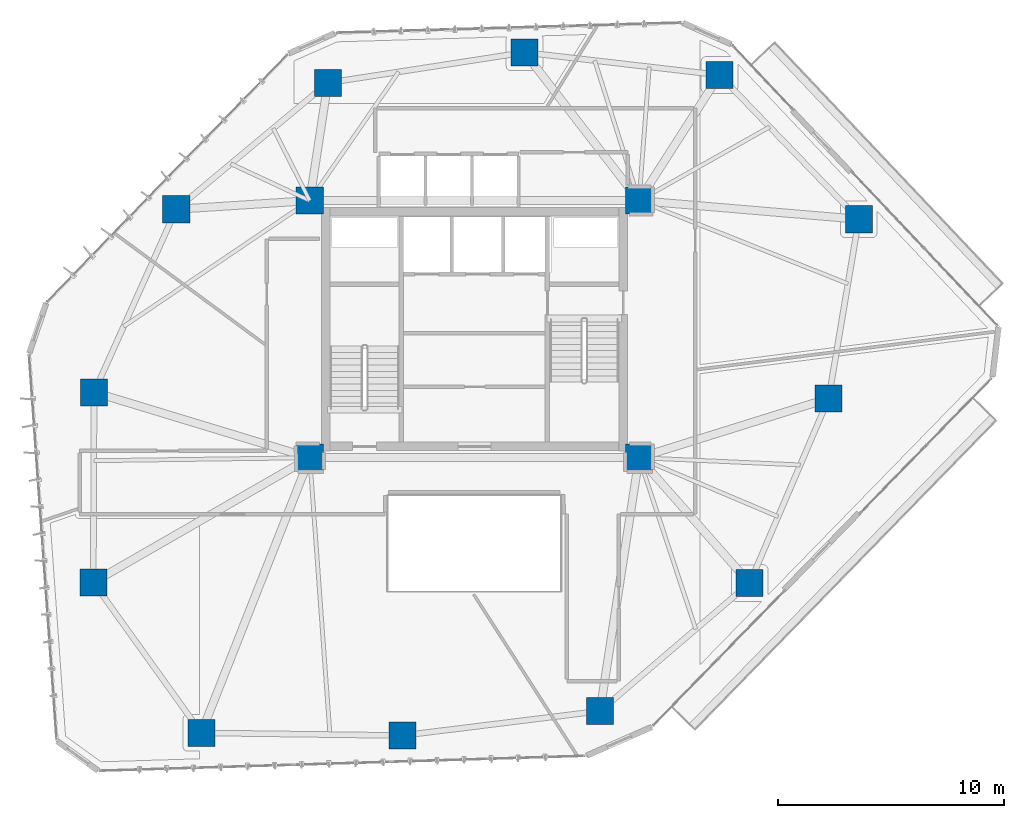
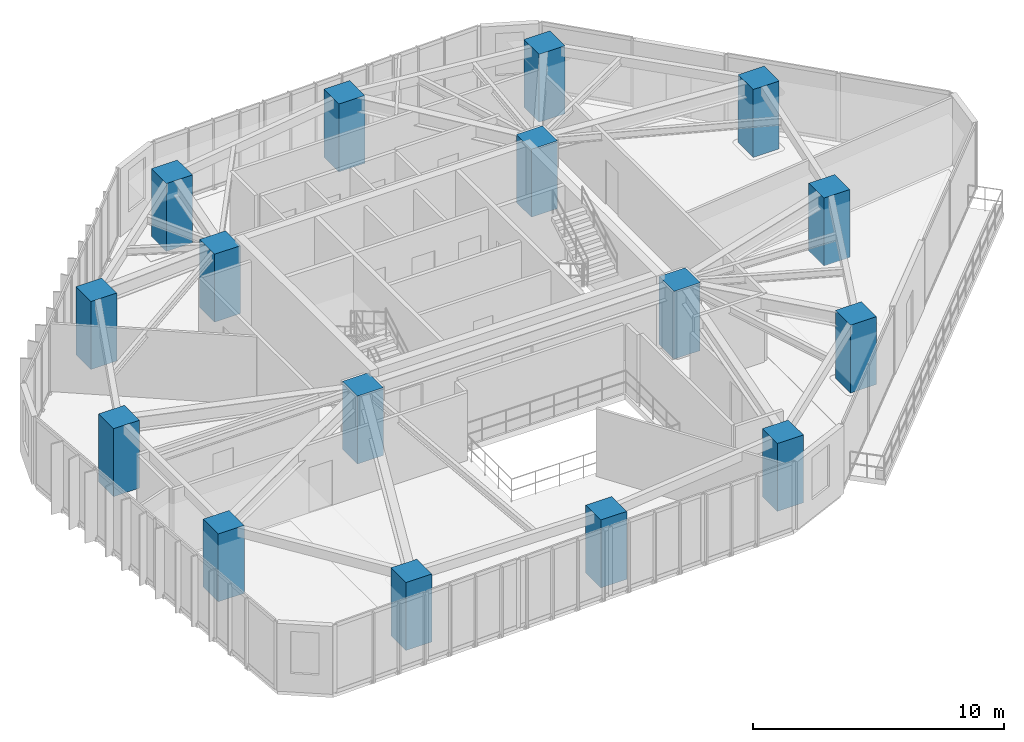
# One storey, part 1 of 23: 16 columns.
"""IFC4 building model written with IfcOpenShell, lengths in metres."""

from ifc_helpers import new_model, si_unit, direction, frame, origin, origin_2d, place, context, subcontext, project, spatial, rectangle, extrude, material, material_profile, profile_set, type_object, element, save


model = new_model("IFC4")

# Units and contexts
model_context = context("Model", 3, precision=1e-05, world=origin(), true_north=direction((0.0, 1.0)))
body_context = subcontext(model_context, "Body", "Model", "MODEL_VIEW")
ifc_project = project(units=[si_unit("LENGTHUNIT", "METRE"), si_unit("AREAUNIT", "SQUARE_METRE"), si_unit("VOLUMEUNIT", "CUBIC_METRE"), si_unit("PLANEANGLEUNIT", "RADIAN"), si_unit("MASSUNIT", "GRAM", prefix="KILO")], contexts=[model_context])

# Site, building, storey
site_placement = place(None, origin())
site = spatial("IfcSite", under=ifc_project, at=site_placement, CompositionType="ELEMENT")
building_placement = place(site_placement, origin())
building = spatial("IfcBuilding", under=site, at=building_placement, Name="Talar Marvaseh", CompositionType="ELEMENT")
storey_placement = place(building_placement, frame((0.0, 0.0, 96.60009765625)))
storey = spatial("IfcBuildingStorey", under=building, at=storey_placement, Name="L24", CompositionType="ELEMENT", Elevation=96.60009765625)

# Columns
ifc_material = material(Name="Concrete C60/75", Category="concrete")
ifc_material_profile = material_profile(ifc_material, rectangle(XDim=1.199951171875, YDim=1.199951171875, at=origin_2d()), Name="RC1200x1200")
ifc_profile_set = profile_set([ifc_material_profile], Name="Concrete C60/75")
column_type = type_object("IfcColumnType", Name="Zone 2 Tube Column RC1200x1200", PredefinedType="COLUMN", material=ifc_profile_set)
for number, where, z_axis, x_axis, name in (
    (1, (36.865966796875, 42.470947265625, 0.0), (0.0, 0.0, 1.0), (1.0, 0.0, 0.0), "L24 Zone 2 Tube Column RC1200x1200"),
    (2, (43.0439453125, 36.075927734375, 0.0), (0.0, 0.0, 1.0), (1.0, 0.0, 0.0), "L24 Zone 2 Tube Column RC1200x1200"),
    (3, (41.708984375, 28.1279296875, 0.0), (0.0, 0.0, 1.0), (1.0, 0.0, 0.0), "L24 Zone 2 Tube Column RC1200x1200"),
    (4, (38.2060546875, 19.94091796875, 0.0), (0.0, 0.0, 1.0), (1.0, 0.0, 0.0), "L24 Zone 2 Tube Column RC1200x1200"),
    (5, (31.570068359375, 14.26806640625, 0.0), (0.0, 0.0, 1.0), (1.0, 0.0, 0.0), "L24 Zone 2 Tube Column RC1200x1200"),
    (6, (22.804931640625, 13.18310546875, 0.0), (0.0, 0.0, 1.0), (1.0, 0.0, 0.0), "L24 Zone 2 Tube Column RC1200x1200"),
    (7, (13.89111328125, 13.299072265625, 0.0), (0.0, 0.0, 1.0), (1.0, 0.0, 0.0), "L24 Zone 2 Tube Column RC1200x1200"),
    (8, (9.10107421875, 19.97705078125, 0.0), (0.0, 0.0, 1.0), (1.0, 0.0, 0.0), "L24 Zone 2 Tube Column RC1200x1200"),
    (9, (9.137939453125, 28.402099609375, 0.0), (0.0, 0.0, 1.0), (1.0, 0.0, 0.0), "L24 Zone 2 Tube Column RC1200x1200"),
    (10, (12.780029296875, 36.51708984375, 0.0), (0.0, 0.0, 1.0), (1.0, 0.0, 0.0), "L24 Zone 2 Tube Column RC1200x1200"),
    (11, (19.5009765625, 42.123046875, 0.0), (0.0, 0.0, 1.0), (1.0, 0.0, 0.0), "L24 Zone 2 Tube Column RC1200x1200"),
    (12, (28.221923828125, 43.471923828125, 0.0), (0.0, 0.0, 1.0), (1.0, 0.0, 0.0), "L24 Zone 2 Tube Column RC1200x1200"),
    (13, (18.699951171875, 25.5, 0.0), (0.0, 0.0, 1.0), (1.0, 0.0, 0.0), "L24 Zone 2 Tube Column RC1200x1200"),
    (14, (33.300048828125, 25.5, 0.0), (0.0, 0.0, 1.0), (1.0, 0.0, 0.0), "L24 Zone 2 Tube Column RC1200x1200"),
    (15, (33.300048828125, 36.89990234375, 0.0), (0.0, 0.0, 1.0), (1.0, 0.0, 0.0), "L24 Zone 2 Tube Column RC1200x1200"),
    (16, (18.699951171875, 36.89990234375, 0.0), (0.0, 0.0, 1.0), (1.0, 0.0, 0.0), "L24 Zone 2 Tube Column RC1200x1200"),
):
    element("IfcColumn", number, at=place(storey_placement, frame(where, z_axis=z_axis, x_axis=x_axis)), inside=storey, type_object=column_type, Name=name, PredefinedType="COLUMN", context=body_context, shape_type="SweptSolid", body=[
        extrude(rectangle(XDim=1.199951171875, YDim=1.199951171875, at=origin_2d()), origin(), (0.0, 0.0, 1.0), 3.309814453125),
    ])

save(model, "model.ifc")
